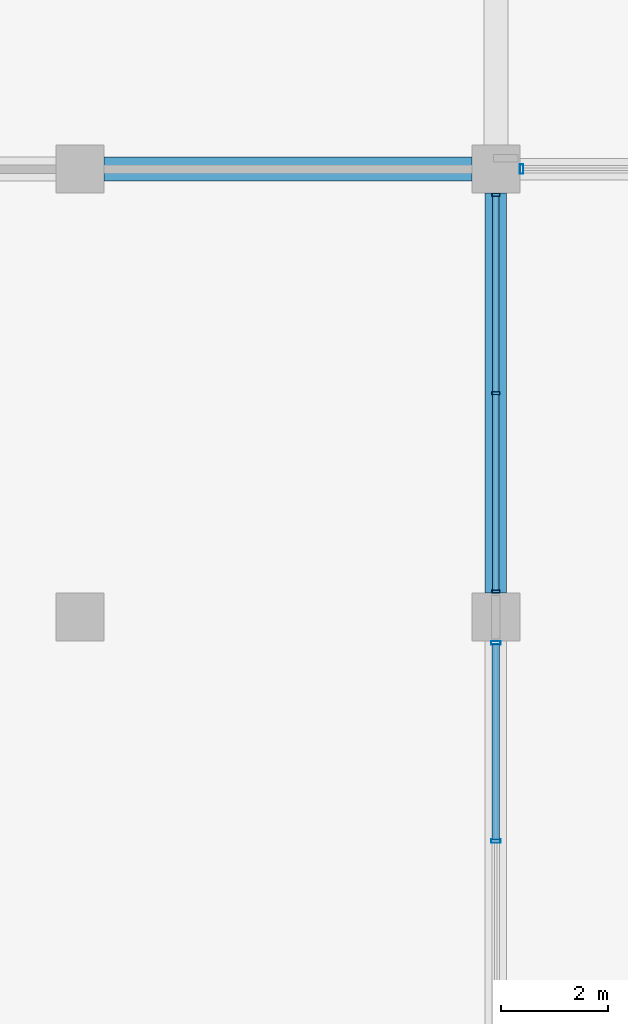
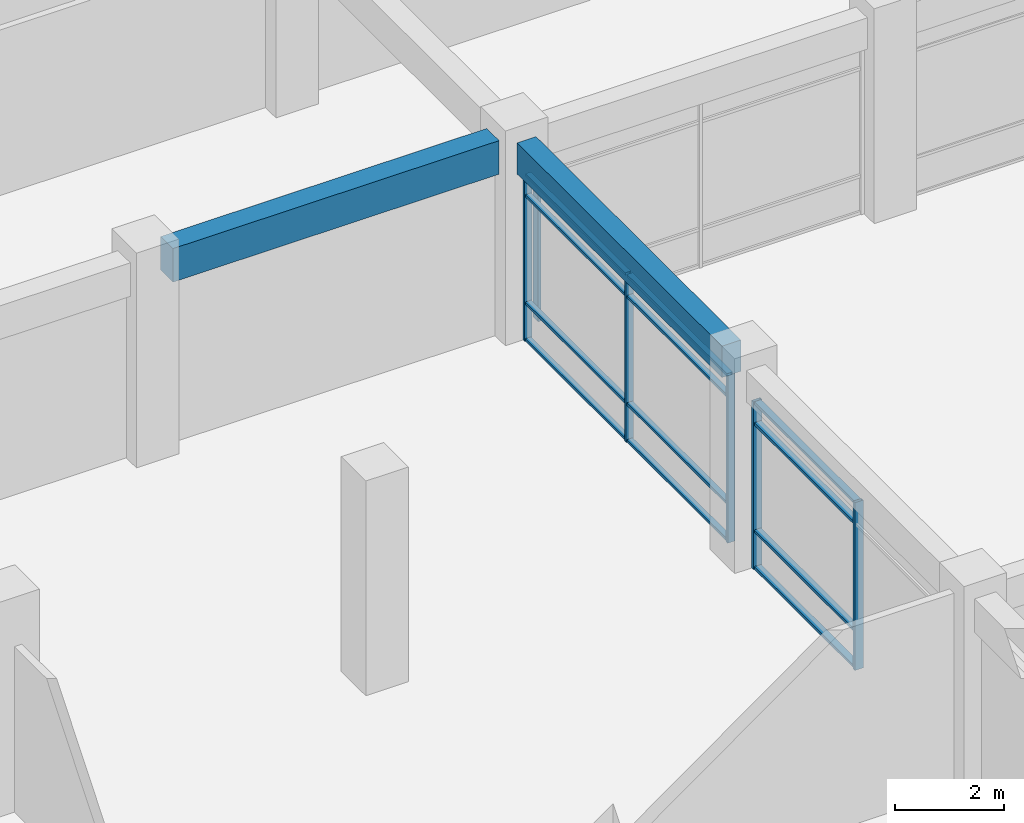
# One storey, part 22 of 74: 18 members, 2 beams, 3 elements without a shape of their own.
"""IFC4 building model written with IfcOpenShell, lengths in metres."""

from ifc_helpers import new_model, si_unit, direction, frame, origin, origin_2d, place, context, subcontext, project, spatial, rectangle, hollow_rectangle, extrude, material, material_profile, profile_set, type_object, element, aggregate, save


model = new_model("IFC4")

# Units and contexts
model_context = context("Model", 3, precision=1e-05, world=origin(), true_north=direction((0.0, 1.0)))
body_context = subcontext(model_context, "Body", "Model", "MODEL_VIEW")
ifc_project = project(units=[si_unit("LENGTHUNIT", "METRE"), si_unit("AREAUNIT", "SQUARE_METRE"), si_unit("VOLUMEUNIT", "CUBIC_METRE"), si_unit("PLANEANGLEUNIT", "RADIAN"), si_unit("MASSUNIT", "GRAM", prefix="KILO"), si_unit("THERMODYNAMICTEMPERATUREUNIT", "KELVIN"), si_unit("POWERUNIT", "WATT")], contexts=[model_context])

# Site, building, storey
site_placement = place(None, origin())
site = spatial("IfcSite", under=ifc_project, at=site_placement, CompositionType="ELEMENT")
building_placement = place(site_placement, origin())
building = spatial("IfcBuilding", under=site, at=building_placement, Name="Srebrne Nadtorze General Hospital", CompositionType="ELEMENT")
storey_placement = place(building_placement, origin())
storey = spatial("IfcBuildingStorey", under=building, at=storey_placement, Name="L00", CompositionType="ELEMENT", Elevation=0.0)

# Curtain wall, members
ifc_material_1 = material(Name="Anodised Aluminium", Category="aluminium")
curtain_wall_type_1 = type_object("IfcCurtainWallType", Name="Unitised curtain wall 7500x3750", PredefinedType="NOTDEFINED", material=ifc_material_1)
curtain_wall_1_placement = place(storey_placement, origin())
curtain_wall_1 = element("IfcCurtainWall", 1, at=curtain_wall_1_placement, inside=storey, type_object=curtain_wall_type_1, Name="Curtain wall CW-026", PredefinedType="NOTDEFINED")
ifc_material_2 = material(Name="Anodised Aluminium", Category="aluminium")
ifc_material_profile_1 = material_profile(ifc_material_2, hollow_rectangle(XDim=0.06005859375, YDim=0.14990234375, WallThickness=0.00390625, at=origin_2d()), Name="AL-MUL-60x150")
ifc_profile_set_1 = profile_set([ifc_material_profile_1], Name="Anodised Aluminium")
member_type_1 = type_object("IfcMemberType", Name="Curtain mullion 60x150", PredefinedType="MULLION", material=ifc_profile_set_1)
member_1_placement = place(storey_placement, frame((117.0, 17.280029296875, 0.0), z_axis=(0.0, 0.0, 1.0), x_axis=(0.0, 1.0, 0.0)))
member_1 = element("IfcMember", 2, at=member_1_placement, type_object=member_type_1, Name="CW-026 mullion 1", PredefinedType="MULLION", context=body_context, shape_type="SweptSolid", body=[
    extrude(hollow_rectangle(XDim=0.06005859375, YDim=0.14990234375, WallThickness=0.00390625, at=origin_2d()), origin(), (0.0, 0.0, 1.0), 3.75),
])
member_2_placement = place(storey_placement, frame((117.0, 21.0, 0.0), z_axis=(0.0, 0.0, 1.0), x_axis=(0.0, 1.0, 0.0)))
member_2 = element("IfcMember", 3, at=member_2_placement, type_object=member_type_1, Name="CW-026 mullion 2", PredefinedType="MULLION", context=body_context, shape_type="SweptSolid", body=[
    extrude(hollow_rectangle(XDim=0.06005859375, YDim=0.14990234375, WallThickness=0.00390625, at=origin_2d()), origin(), (0.0, 0.0, 1.0), 3.75),
])
member_3_placement = place(storey_placement, frame((117.0, 24.719970703125, 0.0), z_axis=(0.0, 0.0, 1.0), x_axis=(0.0, 1.0, 0.0)))
member_3 = element("IfcMember", 4, at=member_3_placement, type_object=member_type_1, Name="CW-026 mullion 3", PredefinedType="MULLION", context=body_context, shape_type="SweptSolid", body=[
    extrude(hollow_rectangle(XDim=0.06005859375, YDim=0.14990234375, WallThickness=0.00390625, at=origin_2d()), origin(), (0.0, 0.0, 1.0), 3.75),
])

# Curtain wall, member
ifc_material_3 = material(Name="Anodised Aluminium", Category="aluminium")
curtain_wall_type_2 = type_object("IfcCurtainWallType", Name="Unitised curtain wall 6900x3750", PredefinedType="NOTDEFINED", material=ifc_material_3)
curtain_wall_2_placement = place(storey_placement, origin())
curtain_wall_2 = element("IfcCurtainWall", 5, at=curtain_wall_2_placement, inside=storey, type_object=curtain_wall_type_2, Name="Curtain wall CW-011", PredefinedType="NOTDEFINED")
ifc_material_4 = material(Name="Anodised Aluminium", Category="aluminium")
ifc_material_profile_2 = material_profile(ifc_material_4, hollow_rectangle(XDim=0.06494140625, YDim=0.179931640625, WallThickness=0.00390625, at=origin_2d()), Name="AL-MUL-65x180")
ifc_profile_set_2 = profile_set([ifc_material_profile_2], Name="Anodised Aluminium")
member_type_2 = type_object("IfcMemberType", Name="Curtain mullion 65x180", PredefinedType="MULLION", material=ifc_profile_set_2)
member_4_placement = place(storey_placement, frame((117.482421875, 25.199951171875, 0.0), z_axis=(0.0, 0.0, 1.0), x_axis=(1.0, 0.0, 0.0)))
member_4 = element("IfcMember", 6, at=member_4_placement, type_object=member_type_2, Name="CW-011 mullion 1", PredefinedType="MULLION", context=body_context, shape_type="SweptSolid", body=[
    extrude(hollow_rectangle(XDim=0.06494140625, YDim=0.179931640625, WallThickness=0.00390625, at=origin_2d()), origin(), (0.0, 0.0, 1.0), 3.75),
])
aggregate(curtain_wall_2, [member_4])

# Curtain wall, members
curtain_wall_3_placement = place(storey_placement, origin())
curtain_wall_3 = element("IfcCurtainWall", 7, at=curtain_wall_3_placement, inside=storey, type_object=curtain_wall_type_1, Name="Curtain wall CW-025", PredefinedType="NOTDEFINED")
member_5_placement = place(storey_placement, frame((117.0, 12.60009765625, 0.0), z_axis=(0.0, 0.0, 1.0), x_axis=(0.0, 1.0, 0.0)))
member_5 = element("IfcMember", 8, at=member_5_placement, type_object=member_type_2, Name="CW-025 mullion 2", PredefinedType="MULLION", context=body_context, shape_type="SweptSolid", body=[
    extrude(hollow_rectangle(XDim=0.06494140625, YDim=0.179931640625, WallThickness=0.00390625, at=origin_2d()), origin(), (0.0, 0.0, 1.0), 3.75),
])
member_6_placement = place(storey_placement, frame((117.0, 16.3173828125, 0.0), z_axis=(0.0, 0.0, 1.0), x_axis=(0.0, 1.0, 0.0)))
member_6 = element("IfcMember", 9, at=member_6_placement, type_object=member_type_2, Name="CW-025 mullion 3", PredefinedType="MULLION", context=body_context, shape_type="SweptSolid", body=[
    extrude(hollow_rectangle(XDim=0.06494140625, YDim=0.179931640625, WallThickness=0.00390625, at=origin_2d()), origin(), (0.0, 0.0, 1.0), 3.75),
])

# Member
ifc_material_5 = material(Name="Anodised Aluminium", Category="aluminium")
ifc_material_profile_3 = material_profile(ifc_material_5, hollow_rectangle(XDim=0.06005859375, YDim=0.1201171875, WallThickness=0.00390625, at=origin_2d()), Name="AL-TRN-60x120")
ifc_profile_set_3 = profile_set([ifc_material_profile_3], Name="Anodised Aluminium")
member_type_3 = type_object("IfcMemberType", Name="Curtain transom 60x120", PredefinedType="USERDEFINED", material=ifc_profile_set_3)
member_7_placement = place(storey_placement, frame((117.0, 17.31005859375, 0.030029296875), z_axis=(0.0, 1.0, 0.0), x_axis=(0.0, 0.0, 1.0)))
member_7 = element("IfcMember", 10, at=member_7_placement, type_object=member_type_3, Name="CW-026 transom 1.1", ObjectType="TRANSOM", PredefinedType="USERDEFINED", context=body_context, shape_type="SweptSolid", body=[
    extrude(hollow_rectangle(XDim=0.06005859375, YDim=0.1201171875, WallThickness=0.00390625, at=origin_2d()), origin(), (0.0, 0.0, 1.0), 3.659912109375),
])

member_8_placement = place(storey_placement, frame((117.0, 17.31005859375, 0.85009765625), z_axis=(0.0, 1.0, 0.0), x_axis=(0.0, 0.0, 1.0)))
member_8 = element("IfcMember", 11, at=member_8_placement, type_object=member_type_3, Name="CW-026 transom 1.2", ObjectType="TRANSOM", PredefinedType="USERDEFINED", context=body_context, shape_type="SweptSolid", body=[
    extrude(hollow_rectangle(XDim=0.06005859375, YDim=0.1201171875, WallThickness=0.00390625, at=origin_2d()), origin(), (0.0, 0.0, 1.0), 3.659912109375),
])

member_9_placement = place(storey_placement, frame((117.0, 17.31005859375, 3.25), z_axis=(0.0, 1.0, 0.0), x_axis=(0.0, 0.0, 1.0)))
member_9 = element("IfcMember", 12, at=member_9_placement, type_object=member_type_3, Name="CW-026 transom 1.3", ObjectType="TRANSOM", PredefinedType="USERDEFINED", context=body_context, shape_type="SweptSolid", body=[
    extrude(hollow_rectangle(XDim=0.06005859375, YDim=0.1201171875, WallThickness=0.00390625, at=origin_2d()), origin(), (0.0, 0.0, 1.0), 3.659912109375),
])

member_10_placement = place(storey_placement, frame((117.0, 17.31005859375, 3.719970703125), z_axis=(0.0, 1.0, 0.0), x_axis=(0.0, 0.0, 1.0)))
member_10 = element("IfcMember", 13, at=member_10_placement, type_object=member_type_3, Name="CW-026 transom 1.4", ObjectType="TRANSOM", PredefinedType="USERDEFINED", context=body_context, shape_type="SweptSolid", body=[
    extrude(hollow_rectangle(XDim=0.06005859375, YDim=0.1201171875, WallThickness=0.00390625, at=origin_2d()), origin(), (0.0, 0.0, 1.0), 3.659912109375),
])

member_11_placement = place(storey_placement, frame((117.0, 21.030029296875, 0.030029296875), z_axis=(0.0, 1.0, 0.0), x_axis=(0.0, 0.0, 1.0)))
member_11 = element("IfcMember", 14, at=member_11_placement, type_object=member_type_3, Name="CW-026 transom 2.1", ObjectType="TRANSOM", PredefinedType="USERDEFINED", context=body_context, shape_type="SweptSolid", body=[
    extrude(hollow_rectangle(XDim=0.06005859375, YDim=0.1201171875, WallThickness=0.00390625, at=origin_2d()), origin(), (0.0, 0.0, 1.0), 3.659912109375),
])

member_12_placement = place(storey_placement, frame((117.0, 21.030029296875, 0.85009765625), z_axis=(0.0, 1.0, 0.0), x_axis=(0.0, 0.0, 1.0)))
member_12 = element("IfcMember", 15, at=member_12_placement, type_object=member_type_3, Name="CW-026 transom 2.2", ObjectType="TRANSOM", PredefinedType="USERDEFINED", context=body_context, shape_type="SweptSolid", body=[
    extrude(hollow_rectangle(XDim=0.06005859375, YDim=0.1201171875, WallThickness=0.00390625, at=origin_2d()), origin(), (0.0, 0.0, 1.0), 3.659912109375),
])

member_13_placement = place(storey_placement, frame((117.0, 21.030029296875, 3.25), z_axis=(0.0, 1.0, 0.0), x_axis=(0.0, 0.0, 1.0)))
member_13 = element("IfcMember", 16, at=member_13_placement, type_object=member_type_3, Name="CW-026 transom 2.3", ObjectType="TRANSOM", PredefinedType="USERDEFINED", context=body_context, shape_type="SweptSolid", body=[
    extrude(hollow_rectangle(XDim=0.06005859375, YDim=0.1201171875, WallThickness=0.00390625, at=origin_2d()), origin(), (0.0, 0.0, 1.0), 3.659912109375),
])

member_14_placement = place(storey_placement, frame((117.0, 21.030029296875, 3.719970703125), z_axis=(0.0, 1.0, 0.0), x_axis=(0.0, 0.0, 1.0)))
member_14 = element("IfcMember", 17, at=member_14_placement, type_object=member_type_3, Name="CW-026 transom 2.4", ObjectType="TRANSOM", PredefinedType="USERDEFINED", context=body_context, shape_type="SweptSolid", body=[
    extrude(hollow_rectangle(XDim=0.06005859375, YDim=0.1201171875, WallThickness=0.00390625, at=origin_2d()), origin(), (0.0, 0.0, 1.0), 3.659912109375),
])

aggregate(curtain_wall_1, [member_1, member_2, member_3, member_7, member_8, member_9, member_10, member_11, member_12, member_13, member_14])

ifc_material_6 = material(Name="Anodised Aluminium", Category="aluminium")
ifc_material_profile_4 = material_profile(ifc_material_6, hollow_rectangle(XDim=0.06494140625, YDim=0.139892578125, WallThickness=0.00390625, at=origin_2d()), Name="AL-TRN-65x140")
ifc_profile_set_4 = profile_set([ifc_material_profile_4], Name="Anodised Aluminium")
member_type_4 = type_object("IfcMemberType", Name="Curtain transom 65x140", PredefinedType="USERDEFINED", material=ifc_profile_set_4)
member_15_placement = place(storey_placement, frame((117.0, 12.632568359375, 0.032470703125), z_axis=(0.0, 1.0, 0.0), x_axis=(0.0, 0.0, 1.0)))
member_15 = element("IfcMember", 18, at=member_15_placement, type_object=member_type_4, Name="CW-025 transom 2.1", ObjectType="TRANSOM", PredefinedType="USERDEFINED", context=body_context, shape_type="SweptSolid", body=[
    extrude(hollow_rectangle(XDim=0.06494140625, YDim=0.139892578125, WallThickness=0.00390625, at=origin_2d()), origin(), (0.0, 0.0, 1.0), 3.65234375),
])

member_16_placement = place(storey_placement, frame((117.0, 12.632568359375, 0.85009765625), z_axis=(0.0, 1.0, 0.0), x_axis=(0.0, 0.0, 1.0)))
member_16 = element("IfcMember", 19, at=member_16_placement, type_object=member_type_4, Name="CW-025 transom 2.2", ObjectType="TRANSOM", PredefinedType="USERDEFINED", context=body_context, shape_type="SweptSolid", body=[
    extrude(hollow_rectangle(XDim=0.06494140625, YDim=0.139892578125, WallThickness=0.00390625, at=origin_2d()), origin(), (0.0, 0.0, 1.0), 3.65234375),
])

member_17_placement = place(storey_placement, frame((117.0, 12.632568359375, 3.25), z_axis=(0.0, 1.0, 0.0), x_axis=(0.0, 0.0, 1.0)))
member_17 = element("IfcMember", 20, at=member_17_placement, type_object=member_type_4, Name="CW-025 transom 2.3", ObjectType="TRANSOM", PredefinedType="USERDEFINED", context=body_context, shape_type="SweptSolid", body=[
    extrude(hollow_rectangle(XDim=0.06494140625, YDim=0.139892578125, WallThickness=0.00390625, at=origin_2d()), origin(), (0.0, 0.0, 1.0), 3.65234375),
])

member_18_placement = place(storey_placement, frame((117.0, 12.632568359375, 3.717529296875), z_axis=(0.0, 1.0, 0.0), x_axis=(0.0, 0.0, 1.0)))
member_18 = element("IfcMember", 21, at=member_18_placement, type_object=member_type_4, Name="CW-025 transom 2.4", ObjectType="TRANSOM", PredefinedType="USERDEFINED", context=body_context, shape_type="SweptSolid", body=[
    extrude(hollow_rectangle(XDim=0.06494140625, YDim=0.139892578125, WallThickness=0.00390625, at=origin_2d()), origin(), (0.0, 0.0, 1.0), 3.65234375),
])

aggregate(curtain_wall_3, [member_5, member_6, member_15, member_16, member_17, member_18])

# Beams
ifc_material_7 = material(Name="Concrete C40/50", Category="concrete")
ifc_material_profile_5 = material_profile(ifc_material_7, rectangle(XDim=0.39990234375, YDim=0.699951171875, at=origin_2d()), Name="RC-BM-400x700")
ifc_profile_set_5 = profile_set([ifc_material_profile_5], Name="Concrete C40/50")
beam_type_1 = type_object("IfcBeamType", Name="Edge beam RC 400x700", PredefinedType="BEAM", material=ifc_profile_set_5)
beam_1_placement = place(storey_placement, frame((117.0, 17.25, 4.10009765625), z_axis=(0.0, 1.0, 0.0), x_axis=(-1.0, 0.0, 0.0)))
element("IfcBeam", 22, at=beam_1_placement, inside=storey, type_object=beam_type_1, Name="Beam BM-L00-Y-0329", PredefinedType="BEAM", context=body_context, shape_type="SweptSolid", body=[
    extrude(rectangle(XDim=0.39990234375, YDim=0.699951171875, at=origin_2d()), origin(), (0.0, 0.0, 1.0), 7.5),
])
ifc_material_8 = material(Name="Concrete C40/50", Category="concrete")
ifc_material_profile_6 = material_profile(ifc_material_8, rectangle(XDim=0.449951171875, YDim=0.75, at=origin_2d()), Name="RC-BM-450x750")
ifc_profile_set_6 = profile_set([ifc_material_profile_6], Name="Concrete C40/50")
beam_type_2 = type_object("IfcBeamType", Name="Primary beam RC 450x750", PredefinedType="BEAM", material=ifc_profile_set_6)
beam_2_placement = place(storey_placement, frame((109.64990234375, 25.199951171875, 4.074951171875), z_axis=(1.0, 0.0, 0.0), x_axis=(0.0, 1.0, 0.0)))
element("IfcBeam", 23, at=beam_2_placement, inside=storey, type_object=beam_type_2, Name="Beam BM-L00-X-0210", PredefinedType="BEAM", context=body_context, shape_type="SweptSolid", body=[
    extrude(rectangle(XDim=0.449951171875, YDim=0.75, at=origin_2d()), origin(), (0.0, 0.0, 1.0), 6.900146484375),
])

save(model, "model.ifc")
